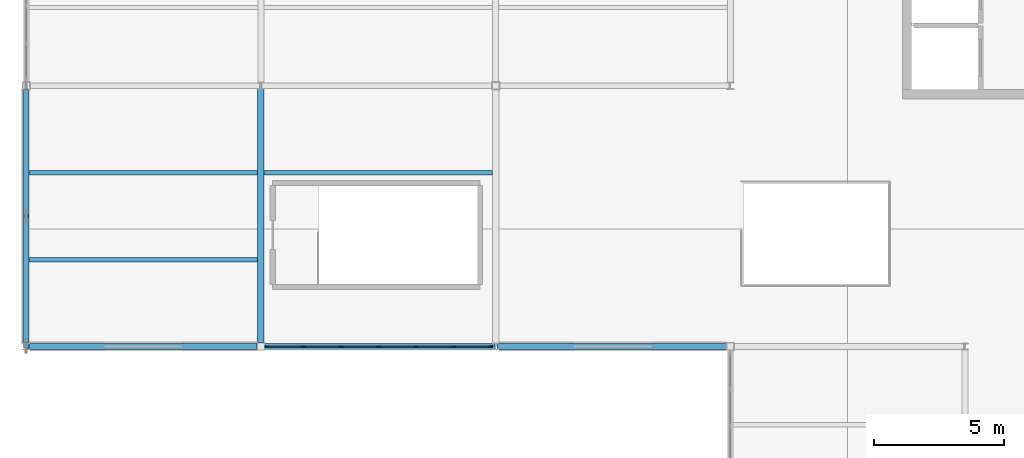
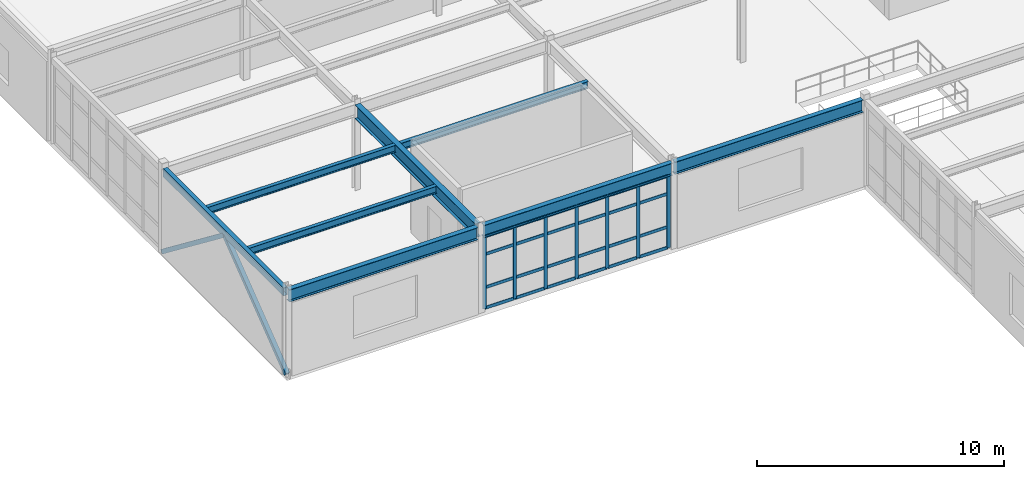
# One storey, part 19 of 81: 33 members, 8 beams, 1 element without a shape of its own.
"""IFC4 building model written with IfcOpenShell, lengths in metres."""

from ifc_helpers import new_model, si_unit, direction, frame, origin, origin_2d, place, context, subcontext, project, spatial, rectangle, hollow_rectangle, i_section, extrude, material, material_profile, profile_set, type_object, element, aggregate, save


model = new_model("IFC4")

# Units and contexts
model_context = context("Model", 3, precision=1e-05, world=origin(), true_north=direction((0.0, 1.0)))
body_context = subcontext(model_context, "Body", "Model", "MODEL_VIEW")
ifc_project = project(units=[si_unit("LENGTHUNIT", "METRE"), si_unit("AREAUNIT", "SQUARE_METRE"), si_unit("VOLUMEUNIT", "CUBIC_METRE"), si_unit("PLANEANGLEUNIT", "RADIAN"), si_unit("MASSUNIT", "GRAM", prefix="KILO")], contexts=[model_context])

# Site, building, storey
site_placement = place(None, origin())
site = spatial("IfcSite", under=ifc_project, at=site_placement, CompositionType="ELEMENT")
building_placement = place(site_placement, origin())
building = spatial("IfcBuilding", under=site, at=building_placement, Name="Glasvene Arena", CompositionType="ELEMENT")
storey_placement = place(building_placement, frame((0.0, 0.0, 15.0)))
storey = spatial("IfcBuildingStorey", under=building, at=storey_placement, Name="L03", CompositionType="ELEMENT", Elevation=15.0)

# Beams
ifc_material_1 = material(Name="Steel S355J2", Category="steel")
ifc_material_profile_1 = material_profile(ifc_material_1, i_section(OverallWidth=0.228271484375, OverallDepth=0.607666015625, WebThickness=0.010986328125, FlangeThickness=0.017333984375, FilletRadius=0.0126953125, at=origin_2d()), Name="UKB 610x229x113")
ifc_profile_set_1 = profile_set([ifc_material_profile_1], Name="Steel S355J2")
beam_type_1 = type_object("IfcBeamType", Name="BM-GIRD-610", PredefinedType="BEAM", material=ifc_profile_set_1)
for number, where, z_axis, x_axis, name in (
    (1, (0.050048828125, 54.0, 3.9462890625), (1.0, 0.0, 0.0), (0.0, 1.0, 0.0), "Primary X girder L03-0942"),
    (2, (9.14501953125, 54.0, 3.9462890625), (1.0, 0.0, 0.0), (0.0, 1.0, 0.0), "Primary X girder L03-0943"),
    (3, (18.050048828125, 54.0, 3.9462890625), (1.0, 0.0, 0.0), (0.0, 1.0, 0.0), "Primary X girder L03-0944"),
):
    element("IfcBeam", number, at=place(storey_placement, frame(where, z_axis=z_axis, x_axis=x_axis)), inside=storey, type_object=beam_type_1, Name=name, PredefinedType="BEAM", context=body_context, shape_type="SweptSolid", body=[
        extrude(i_section(OverallWidth=0.228271484375, OverallDepth=0.607666015625, WebThickness=0.010986328125, FlangeThickness=0.017333984375, FilletRadius=0.0126953125, at=origin_2d()), origin(), (0.0, 0.0, 1.0), 8.804931640625),
    ])
ifc_material_profile_2 = material_profile(ifc_material_1, i_section(OverallWidth=0.253662109375, OverallDepth=0.68359375, WebThickness=0.012451171875, FlangeThickness=0.01904296875, FilletRadius=0.01513671875, at=origin_2d()), Name="UKB 686x254x140")
ifc_profile_set_2 = profile_set([ifc_material_profile_2], Name="Steel S355J2")
beam_type_2 = type_object("IfcBeamType", Name="BM-GIRD-686", PredefinedType="BEAM", material=ifc_profile_set_2)
beam_1_placement = place(storey_placement, frame((9.0, 54.14501953125, 3.908203125), z_axis=(0.0, 1.0, 0.0), x_axis=(-1.0, 0.0, 0.0)))
element("IfcBeam", 4, at=beam_1_placement, inside=storey, type_object=beam_type_2, Name="Primary Y girder L03-0969", PredefinedType="BEAM", context=body_context, shape_type="SweptSolid", body=[
    extrude(i_section(OverallWidth=0.253662109375, OverallDepth=0.68359375, WebThickness=0.012451171875, FlangeThickness=0.01904296875, FilletRadius=0.01513671875, at=origin_2d()), origin(), (0.0, 0.0, 1.0), 9.72998046875),
])
ifc_material_profile_3 = material_profile(ifc_material_1, i_section(OverallWidth=0.17138671875, OverallDepth=0.35498046875, WebThickness=0.00732421875, FlangeThickness=0.011474609375, FilletRadius=0.01025390625, at=origin_2d()), Name="UKB 356x171x51")
ifc_profile_set_3 = profile_set([ifc_material_profile_3], Name="Steel S355J2")
beam_type_3 = type_object("IfcBeamType", Name="BM-JOIST-356", PredefinedType="JOIST", material=ifc_profile_set_3)
for number, where, z_axis, x_axis, name in (
    (5, (0.095947265625, 57.333251953125, 4.072509765625), (1.0, 0.0, 0.0), (0.0, 1.0, 0.0), "Composite floor joist L03-0987"),
    (6, (0.095947265625, 60.666748046875, 4.072509765625), (1.0, 0.0, 0.0), (0.0, 1.0, 0.0), "Composite floor joist L03-0988"),
):
    element("IfcBeam", number, at=place(storey_placement, frame(where, z_axis=z_axis, x_axis=x_axis)), inside=storey, type_object=beam_type_3, Name=name, PredefinedType="JOIST", context=body_context, shape_type="SweptSolid", body=[
        extrude(i_section(OverallWidth=0.17138671875, OverallDepth=0.35498046875, WebThickness=0.00732421875, FlangeThickness=0.011474609375, FilletRadius=0.01025390625, at=origin_2d()), origin(), (0.0, 0.0, 1.0), 8.78125),
    ])
beam_2_placement = place(storey_placement, frame((9.122802734375, 60.666748046875, 4.072509765625), z_axis=(1.0, 0.0, 0.0), x_axis=(0.0, 1.0, 0.0)))
element("IfcBeam", 7, at=beam_2_placement, inside=storey, type_object=beam_type_3, Name="Composite floor joist L03-0993", PredefinedType="JOIST", context=body_context, shape_type="SweptSolid", body=[
    extrude(i_section(OverallWidth=0.17138671875, OverallDepth=0.35498046875, WebThickness=0.00732421875, FlangeThickness=0.011474609375, FilletRadius=0.01025390625, at=origin_2d()), origin(), (0.0, 0.0, 1.0), 8.75439453125),
])
ifc_material_profile_4 = material_profile(ifc_material_1, hollow_rectangle(XDim=0.199951171875, YDim=0.39990234375, WallThickness=0.01611328125, at=origin_2d()), Name="RHS 400x200x16.0")
ifc_profile_set_4 = profile_set([ifc_material_profile_4], Name="Steel S355J2")
beam_type_4 = type_object("IfcBeamType", Name="BM-SPAND-400", PredefinedType="SPANDREL", material=ifc_profile_set_4)
beam_3_placement = place(storey_placement, frame((0.0, 54.125, 4.050048828125), z_axis=(0.0, 1.0, 0.0), x_axis=(-1.0, 0.0, 0.0)))
element("IfcBeam", 8, at=beam_3_placement, inside=storey, type_object=beam_type_4, Name="Primary Y girder L03-0962", PredefinedType="SPANDREL", context=body_context, shape_type="SweptSolid", body=[
    extrude(hollow_rectangle(XDim=0.199951171875, YDim=0.39990234375, WallThickness=0.01611328125, at=origin_2d()), origin(), (0.0, 0.0, 1.0), 9.72998046875),
])

# Curtain wall, members
ifc_material_2 = material(Name="Low-emissivity laminated double glazing", Category="glass")
curtain_wall_type = type_object("IfcCurtainWallType", Name="CW-FAC-L03-864x358", PredefinedType="USERDEFINED", material=ifc_material_2)
curtain_wall_placement = place(storey_placement, frame((17.829833984375, 54.0, 0.0)))
curtain_wall = element("IfcCurtainWall", 9, at=curtain_wall_placement, inside=storey, type_object=curtain_wall_type, Name="Unitised curtain wall CW-F-L03-150-135-540-1", ObjectType="CURTAIN WALL", PredefinedType="USERDEFINED")
ifc_material_3 = material(Name="Anodised architectural aluminium", Category="aluminium")
ifc_material_profile_5 = material_profile(ifc_material_3, rectangle(XDim=0.050048828125, YDim=0.159912109375, at=origin_2d()), Name="ALU MULLION 50x160")
ifc_profile_set_5 = profile_set([ifc_material_profile_5], Name="Anodised architectural aluminium")
member_type_1 = type_object("IfcMemberType", Name="CW-MUL-150", PredefinedType="MULLION", material=ifc_profile_set_5)
member_1_placement = place(storey_placement, frame((17.8046875, 54.0, 0.06005859375), z_axis=(0.0, 0.0, 1.0), x_axis=(0.0, -1.0, 0.0)))
member_1 = element("IfcMember", 10, at=member_1_placement, type_object=member_type_1, Name="CW-032 mullion 1", PredefinedType="MULLION", context=body_context, shape_type="SweptSolid", body=[
    extrude(rectangle(XDim=0.050048828125, YDim=0.159912109375, at=origin_2d()), origin(), (0.0, 0.0, 1.0), 3.576904296875),
])
member_2_placement = place(storey_placement, frame((16.39013671875, 54.0, 0.06005859375), z_axis=(0.0, 0.0, 1.0), x_axis=(0.0, -1.0, 0.0)))
member_2 = element("IfcMember", 11, at=member_2_placement, type_object=member_type_1, Name="CW-032 mullion 2", PredefinedType="MULLION", context=body_context, shape_type="SweptSolid", body=[
    extrude(rectangle(XDim=0.050048828125, YDim=0.159912109375, at=origin_2d()), origin(), (0.0, 0.0, 1.0), 3.576904296875),
])
member_3_placement = place(storey_placement, frame((14.950439453125, 54.0, 0.06005859375), z_axis=(0.0, 0.0, 1.0), x_axis=(0.0, -1.0, 0.0)))
member_3 = element("IfcMember", 12, at=member_3_placement, type_object=member_type_1, Name="CW-032 mullion 3", PredefinedType="MULLION", context=body_context, shape_type="SweptSolid", body=[
    extrude(rectangle(XDim=0.050048828125, YDim=0.159912109375, at=origin_2d()), origin(), (0.0, 0.0, 1.0), 3.576904296875),
])
member_4_placement = place(storey_placement, frame((13.510986328125, 54.0, 0.06005859375), z_axis=(0.0, 0.0, 1.0), x_axis=(0.0, -1.0, 0.0)))
member_4 = element("IfcMember", 13, at=member_4_placement, type_object=member_type_1, Name="CW-032 mullion 4", PredefinedType="MULLION", context=body_context, shape_type="SweptSolid", body=[
    extrude(rectangle(XDim=0.050048828125, YDim=0.159912109375, at=origin_2d()), origin(), (0.0, 0.0, 1.0), 3.576904296875),
])
member_5_placement = place(storey_placement, frame((12.0712890625, 54.0, 0.06005859375), z_axis=(0.0, 0.0, 1.0), x_axis=(0.0, -1.0, 0.0)))
member_5 = element("IfcMember", 14, at=member_5_placement, type_object=member_type_1, Name="CW-032 mullion 5", PredefinedType="MULLION", context=body_context, shape_type="SweptSolid", body=[
    extrude(rectangle(XDim=0.050048828125, YDim=0.159912109375, at=origin_2d()), origin(), (0.0, 0.0, 1.0), 3.576904296875),
])
member_6_placement = place(storey_placement, frame((10.631591796875, 54.0, 0.06005859375), z_axis=(0.0, 0.0, 1.0), x_axis=(0.0, -1.0, 0.0)))
member_6 = element("IfcMember", 15, at=member_6_placement, type_object=member_type_1, Name="CW-032 mullion 6", PredefinedType="MULLION", context=body_context, shape_type="SweptSolid", body=[
    extrude(rectangle(XDim=0.050048828125, YDim=0.159912109375, at=origin_2d()), origin(), (0.0, 0.0, 1.0), 3.576904296875),
])
member_7_placement = place(storey_placement, frame((9.217041015625, 54.0, 0.06005859375), z_axis=(0.0, 0.0, 1.0), x_axis=(0.0, -1.0, 0.0)))
member_7 = element("IfcMember", 16, at=member_7_placement, type_object=member_type_1, Name="CW-032 mullion 7", PredefinedType="MULLION", context=body_context, shape_type="SweptSolid", body=[
    extrude(rectangle(XDim=0.050048828125, YDim=0.159912109375, at=origin_2d()), origin(), (0.0, 0.0, 1.0), 3.576904296875),
])
ifc_material_profile_6 = material_profile(ifc_material_3, rectangle(XDim=0.050048828125, YDim=0.14990234375, at=origin_2d()), Name="ALU TRANSOM 50x150")
ifc_profile_set_6 = profile_set([ifc_material_profile_6], Name="Anodised architectural aluminium")
member_type_2 = type_object("IfcMemberType", Name="CW-TRN-150", PredefinedType="USERDEFINED", material=ifc_profile_set_6)
member_8_placement = place(storey_placement, frame((17.77978515625, 54.0, 0.0849609375), z_axis=(-1.0, 0.0, 0.0), x_axis=(0.0, -1.0, 0.0)))
member_8 = element("IfcMember", 17, at=member_8_placement, type_object=member_type_2, Name="CW-032 transom 1.1", ObjectType="TRANSOM", PredefinedType="USERDEFINED", context=body_context, shape_type="SweptSolid", body=[
    extrude(rectangle(XDim=0.050048828125, YDim=0.14990234375, at=origin_2d()), origin(), (0.0, 0.0, 1.0), 1.364501953125),
])
member_9_placement = place(storey_placement, frame((17.77978515625, 54.0, 1.10009765625), z_axis=(-1.0, 0.0, 0.0), x_axis=(0.0, -1.0, 0.0)))
member_9 = element("IfcMember", 18, at=member_9_placement, type_object=member_type_2, Name="CW-032 transom 1.2", ObjectType="TRANSOM", PredefinedType="USERDEFINED", context=body_context, shape_type="SweptSolid", body=[
    extrude(rectangle(XDim=0.050048828125, YDim=0.14990234375, at=origin_2d()), origin(), (0.0, 0.0, 1.0), 1.364501953125),
])
member_10_placement = place(storey_placement, frame((17.77978515625, 54.0, 2.737060546875), z_axis=(-1.0, 0.0, 0.0), x_axis=(0.0, -1.0, 0.0)))
member_10 = element("IfcMember", 19, at=member_10_placement, type_object=member_type_2, Name="CW-032 transom 1.3", ObjectType="TRANSOM", PredefinedType="USERDEFINED", context=body_context, shape_type="SweptSolid", body=[
    extrude(rectangle(XDim=0.050048828125, YDim=0.14990234375, at=origin_2d()), origin(), (0.0, 0.0, 1.0), 1.364501953125),
])
member_11_placement = place(storey_placement, frame((17.77978515625, 54.0, 3.612060546875), z_axis=(-1.0, 0.0, 0.0), x_axis=(0.0, -1.0, 0.0)))
member_11 = element("IfcMember", 20, at=member_11_placement, type_object=member_type_2, Name="CW-032 transom 1.4", ObjectType="TRANSOM", PredefinedType="USERDEFINED", context=body_context, shape_type="SweptSolid", body=[
    extrude(rectangle(XDim=0.050048828125, YDim=0.14990234375, at=origin_2d()), origin(), (0.0, 0.0, 1.0), 1.364501953125),
])
member_12_placement = place(storey_placement, frame((16.365234375, 54.0, 0.0849609375), z_axis=(-1.0, 0.0, 0.0), x_axis=(0.0, -1.0, 0.0)))
member_12 = element("IfcMember", 21, at=member_12_placement, type_object=member_type_2, Name="CW-032 transom 2.1", ObjectType="TRANSOM", PredefinedType="USERDEFINED", context=body_context, shape_type="SweptSolid", body=[
    extrude(rectangle(XDim=0.050048828125, YDim=0.14990234375, at=origin_2d()), origin(), (0.0, 0.0, 1.0), 1.3896484375),
])
member_13_placement = place(storey_placement, frame((16.365234375, 54.0, 1.10009765625), z_axis=(-1.0, 0.0, 0.0), x_axis=(0.0, -1.0, 0.0)))
member_13 = element("IfcMember", 22, at=member_13_placement, type_object=member_type_2, Name="CW-032 transom 2.2", ObjectType="TRANSOM", PredefinedType="USERDEFINED", context=body_context, shape_type="SweptSolid", body=[
    extrude(rectangle(XDim=0.050048828125, YDim=0.14990234375, at=origin_2d()), origin(), (0.0, 0.0, 1.0), 1.3896484375),
])
member_14_placement = place(storey_placement, frame((16.365234375, 54.0, 2.737060546875), z_axis=(-1.0, 0.0, 0.0), x_axis=(0.0, -1.0, 0.0)))
member_14 = element("IfcMember", 23, at=member_14_placement, type_object=member_type_2, Name="CW-032 transom 2.3", ObjectType="TRANSOM", PredefinedType="USERDEFINED", context=body_context, shape_type="SweptSolid", body=[
    extrude(rectangle(XDim=0.050048828125, YDim=0.14990234375, at=origin_2d()), origin(), (0.0, 0.0, 1.0), 1.3896484375),
])
member_15_placement = place(storey_placement, frame((16.365234375, 54.0, 3.612060546875), z_axis=(-1.0, 0.0, 0.0), x_axis=(0.0, -1.0, 0.0)))
member_15 = element("IfcMember", 24, at=member_15_placement, type_object=member_type_2, Name="CW-032 transom 2.4", ObjectType="TRANSOM", PredefinedType="USERDEFINED", context=body_context, shape_type="SweptSolid", body=[
    extrude(rectangle(XDim=0.050048828125, YDim=0.14990234375, at=origin_2d()), origin(), (0.0, 0.0, 1.0), 1.3896484375),
])
member_16_placement = place(storey_placement, frame((14.925537109375, 54.0, 0.0849609375), z_axis=(-1.0, 0.0, 0.0), x_axis=(0.0, -1.0, 0.0)))
member_16 = element("IfcMember", 25, at=member_16_placement, type_object=member_type_2, Name="CW-032 transom 3.1", ObjectType="TRANSOM", PredefinedType="USERDEFINED", context=body_context, shape_type="SweptSolid", body=[
    extrude(rectangle(XDim=0.050048828125, YDim=0.14990234375, at=origin_2d()), origin(), (0.0, 0.0, 1.0), 1.3896484375),
])
member_17_placement = place(storey_placement, frame((14.925537109375, 54.0, 1.10009765625), z_axis=(-1.0, 0.0, 0.0), x_axis=(0.0, -1.0, 0.0)))
member_17 = element("IfcMember", 26, at=member_17_placement, type_object=member_type_2, Name="CW-032 transom 3.2", ObjectType="TRANSOM", PredefinedType="USERDEFINED", context=body_context, shape_type="SweptSolid", body=[
    extrude(rectangle(XDim=0.050048828125, YDim=0.14990234375, at=origin_2d()), origin(), (0.0, 0.0, 1.0), 1.3896484375),
])
member_18_placement = place(storey_placement, frame((14.925537109375, 54.0, 2.737060546875), z_axis=(-1.0, 0.0, 0.0), x_axis=(0.0, -1.0, 0.0)))
member_18 = element("IfcMember", 27, at=member_18_placement, type_object=member_type_2, Name="CW-032 transom 3.3", ObjectType="TRANSOM", PredefinedType="USERDEFINED", context=body_context, shape_type="SweptSolid", body=[
    extrude(rectangle(XDim=0.050048828125, YDim=0.14990234375, at=origin_2d()), origin(), (0.0, 0.0, 1.0), 1.3896484375),
])
member_19_placement = place(storey_placement, frame((14.925537109375, 54.0, 3.612060546875), z_axis=(-1.0, 0.0, 0.0), x_axis=(0.0, -1.0, 0.0)))
member_19 = element("IfcMember", 28, at=member_19_placement, type_object=member_type_2, Name="CW-032 transom 3.4", ObjectType="TRANSOM", PredefinedType="USERDEFINED", context=body_context, shape_type="SweptSolid", body=[
    extrude(rectangle(XDim=0.050048828125, YDim=0.14990234375, at=origin_2d()), origin(), (0.0, 0.0, 1.0), 1.3896484375),
])
member_20_placement = place(storey_placement, frame((13.48583984375, 54.0, 0.0849609375), z_axis=(-1.0, 0.0, 0.0), x_axis=(0.0, -1.0, 0.0)))
member_20 = element("IfcMember", 29, at=member_20_placement, type_object=member_type_2, Name="CW-032 transom 4.1", ObjectType="TRANSOM", PredefinedType="USERDEFINED", context=body_context, shape_type="SweptSolid", body=[
    extrude(rectangle(XDim=0.050048828125, YDim=0.14990234375, at=origin_2d()), origin(), (0.0, 0.0, 1.0), 1.3896484375),
])
member_21_placement = place(storey_placement, frame((13.48583984375, 54.0, 1.10009765625), z_axis=(-1.0, 0.0, 0.0), x_axis=(0.0, -1.0, 0.0)))
member_21 = element("IfcMember", 30, at=member_21_placement, type_object=member_type_2, Name="CW-032 transom 4.2", ObjectType="TRANSOM", PredefinedType="USERDEFINED", context=body_context, shape_type="SweptSolid", body=[
    extrude(rectangle(XDim=0.050048828125, YDim=0.14990234375, at=origin_2d()), origin(), (0.0, 0.0, 1.0), 1.3896484375),
])
member_22_placement = place(storey_placement, frame((13.48583984375, 54.0, 2.737060546875), z_axis=(-1.0, 0.0, 0.0), x_axis=(0.0, -1.0, 0.0)))
member_22 = element("IfcMember", 31, at=member_22_placement, type_object=member_type_2, Name="CW-032 transom 4.3", ObjectType="TRANSOM", PredefinedType="USERDEFINED", context=body_context, shape_type="SweptSolid", body=[
    extrude(rectangle(XDim=0.050048828125, YDim=0.14990234375, at=origin_2d()), origin(), (0.0, 0.0, 1.0), 1.3896484375),
])
member_23_placement = place(storey_placement, frame((13.48583984375, 54.0, 3.612060546875), z_axis=(-1.0, 0.0, 0.0), x_axis=(0.0, -1.0, 0.0)))
member_23 = element("IfcMember", 32, at=member_23_placement, type_object=member_type_2, Name="CW-032 transom 4.4", ObjectType="TRANSOM", PredefinedType="USERDEFINED", context=body_context, shape_type="SweptSolid", body=[
    extrude(rectangle(XDim=0.050048828125, YDim=0.14990234375, at=origin_2d()), origin(), (0.0, 0.0, 1.0), 1.3896484375),
])
member_24_placement = place(storey_placement, frame((12.04638671875, 54.0, 0.0849609375), z_axis=(-1.0, 0.0, 0.0), x_axis=(0.0, -1.0, 0.0)))
member_24 = element("IfcMember", 33, at=member_24_placement, type_object=member_type_2, Name="CW-032 transom 5.1", ObjectType="TRANSOM", PredefinedType="USERDEFINED", context=body_context, shape_type="SweptSolid", body=[
    extrude(rectangle(XDim=0.050048828125, YDim=0.14990234375, at=origin_2d()), origin(), (0.0, 0.0, 1.0), 1.3896484375),
])
member_25_placement = place(storey_placement, frame((12.04638671875, 54.0, 1.10009765625), z_axis=(-1.0, 0.0, 0.0), x_axis=(0.0, -1.0, 0.0)))
member_25 = element("IfcMember", 34, at=member_25_placement, type_object=member_type_2, Name="CW-032 transom 5.2", ObjectType="TRANSOM", PredefinedType="USERDEFINED", context=body_context, shape_type="SweptSolid", body=[
    extrude(rectangle(XDim=0.050048828125, YDim=0.14990234375, at=origin_2d()), origin(), (0.0, 0.0, 1.0), 1.3896484375),
])
member_26_placement = place(storey_placement, frame((12.04638671875, 54.0, 2.737060546875), z_axis=(-1.0, 0.0, 0.0), x_axis=(0.0, -1.0, 0.0)))
member_26 = element("IfcMember", 35, at=member_26_placement, type_object=member_type_2, Name="CW-032 transom 5.3", ObjectType="TRANSOM", PredefinedType="USERDEFINED", context=body_context, shape_type="SweptSolid", body=[
    extrude(rectangle(XDim=0.050048828125, YDim=0.14990234375, at=origin_2d()), origin(), (0.0, 0.0, 1.0), 1.3896484375),
])
member_27_placement = place(storey_placement, frame((12.04638671875, 54.0, 3.612060546875), z_axis=(-1.0, 0.0, 0.0), x_axis=(0.0, -1.0, 0.0)))
member_27 = element("IfcMember", 36, at=member_27_placement, type_object=member_type_2, Name="CW-032 transom 5.4", ObjectType="TRANSOM", PredefinedType="USERDEFINED", context=body_context, shape_type="SweptSolid", body=[
    extrude(rectangle(XDim=0.050048828125, YDim=0.14990234375, at=origin_2d()), origin(), (0.0, 0.0, 1.0), 1.3896484375),
])
member_28_placement = place(storey_placement, frame((10.606689453125, 54.0, 0.0849609375), z_axis=(-1.0, 0.0, 0.0), x_axis=(0.0, -1.0, 0.0)))
member_28 = element("IfcMember", 37, at=member_28_placement, type_object=member_type_2, Name="CW-032 transom 6.1", ObjectType="TRANSOM", PredefinedType="USERDEFINED", context=body_context, shape_type="SweptSolid", body=[
    extrude(rectangle(XDim=0.050048828125, YDim=0.14990234375, at=origin_2d()), origin(), (0.0, 0.0, 1.0), 1.36474609375),
])
member_29_placement = place(storey_placement, frame((10.606689453125, 54.0, 1.10009765625), z_axis=(-1.0, 0.0, 0.0), x_axis=(0.0, -1.0, 0.0)))
member_29 = element("IfcMember", 38, at=member_29_placement, type_object=member_type_2, Name="CW-032 transom 6.2", ObjectType="TRANSOM", PredefinedType="USERDEFINED", context=body_context, shape_type="SweptSolid", body=[
    extrude(rectangle(XDim=0.050048828125, YDim=0.14990234375, at=origin_2d()), origin(), (0.0, 0.0, 1.0), 1.36474609375),
])
member_30_placement = place(storey_placement, frame((10.606689453125, 54.0, 2.737060546875), z_axis=(-1.0, 0.0, 0.0), x_axis=(0.0, -1.0, 0.0)))
member_30 = element("IfcMember", 39, at=member_30_placement, type_object=member_type_2, Name="CW-032 transom 6.3", ObjectType="TRANSOM", PredefinedType="USERDEFINED", context=body_context, shape_type="SweptSolid", body=[
    extrude(rectangle(XDim=0.050048828125, YDim=0.14990234375, at=origin_2d()), origin(), (0.0, 0.0, 1.0), 1.36474609375),
])
member_31_placement = place(storey_placement, frame((10.606689453125, 54.0, 3.612060546875), z_axis=(-1.0, 0.0, 0.0), x_axis=(0.0, -1.0, 0.0)))
member_31 = element("IfcMember", 40, at=member_31_placement, type_object=member_type_2, Name="CW-032 transom 6.4", ObjectType="TRANSOM", PredefinedType="USERDEFINED", context=body_context, shape_type="SweptSolid", body=[
    extrude(rectangle(XDim=0.050048828125, YDim=0.14990234375, at=origin_2d()), origin(), (0.0, 0.0, 1.0), 1.36474609375),
])
aggregate(curtain_wall, [member_1, member_2, member_3, member_4, member_5, member_6, member_7, member_8, member_9, member_10, member_11, member_12, member_13, member_14, member_15, member_16, member_17, member_18, member_19, member_20, member_21, member_22, member_23, member_24, member_25, member_26, member_27, member_28, member_29, member_30, member_31])

# Members
ifc_material_profile_7 = material_profile(ifc_material_1, hollow_rectangle(XDim=0.199951171875, YDim=0.199951171875, WallThickness=0.010009765625, at=origin_2d()), Name="SHS 200x200x10.0")
ifc_profile_set_7 = profile_set([ifc_material_profile_7], Name="Steel S355J2")
member_type_3 = type_object("IfcMemberType", Name="MB-BRACE-SHS200", PredefinedType="BRACE", material=ifc_profile_set_7)
for number, where, z_axis, x_axis, name in (
    (41, (0.0, 54.0, 0.050048828125), (0.0, 0.792340571353, 0.610079026839), (-1.0, 0.0, 0.0), "Perimeter lateral chevron brace L03-015-A"),
    (42, (0.0, 64.0, 0.050048828125), (0.0, -0.792340571353, 0.610079026839), (1.0, 0.0, 0.0), "Perimeter lateral chevron brace L03-016-B"),
):
    element("IfcMember", number, at=place(storey_placement, frame(where, z_axis=z_axis, x_axis=x_axis)), inside=storey, type_object=member_type_3, Name=name, PredefinedType="BRACE", context=body_context, shape_type="SweptSolid", body=[
        extrude(hollow_rectangle(XDim=0.199951171875, YDim=0.199951171875, WallThickness=0.010009765625, at=origin_2d()), origin(), (0.0, 0.0, 1.0), 6.310302734375),
    ])

save(model, "model.ifc")
